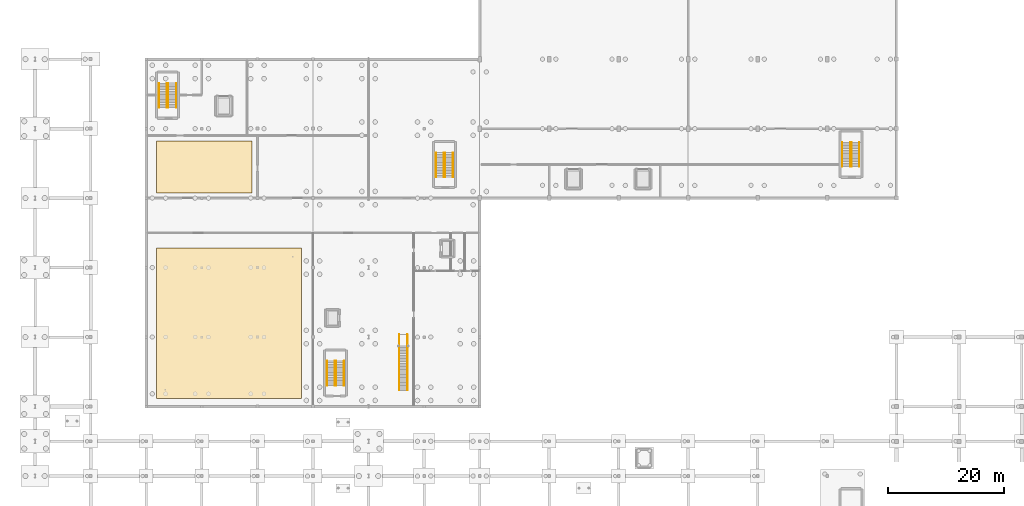
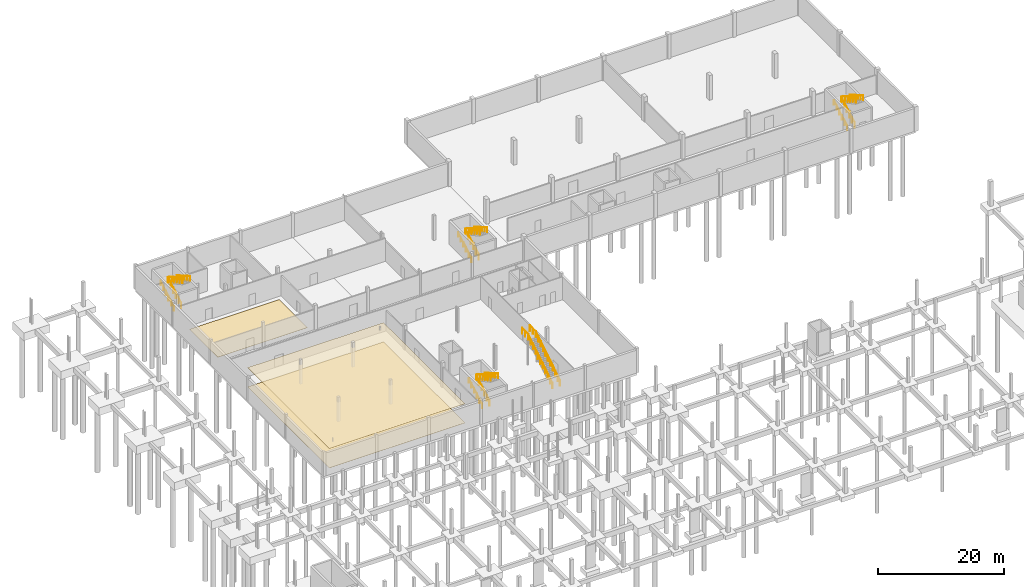
# One storey, part 30 of 31: 20 railings, 3 coverings.
"""IFC4 building model written with IfcOpenShell, lengths in metres."""

from ifc_helpers import new_model, si_unit, direction, frame, origin, origin_2d, place, context, subcontext, project, spatial, polyline, circle, outline, extrude, material, layer, layer_set, type_object, element, save


model = new_model("IFC4")

# Units and contexts
model_context = context("Model", 3, precision=1e-05, world=origin(), true_north=direction((0.0, 1.0)))
body_context = subcontext(model_context, "Body", "Model", "MODEL_VIEW")
ifc_project = project(units=[si_unit("LENGTHUNIT", "METRE"), si_unit("AREAUNIT", "SQUARE_METRE"), si_unit("VOLUMEUNIT", "CUBIC_METRE"), si_unit("PLANEANGLEUNIT", "RADIAN"), si_unit("MASSUNIT", "GRAM", prefix="KILO")], contexts=[model_context])

# Site, building, storey
site_placement = place(None, origin())
site = spatial("IfcSite", under=ifc_project, at=site_placement, CompositionType="ELEMENT")
building_placement = place(site_placement, origin())
building = spatial("IfcBuilding", under=site, at=building_placement, Name="Merenkruunu Market Hall", CompositionType="ELEMENT")
storey_placement = place(building_placement, frame((0.0, 0.0, -4.800048828125)))
storey = spatial("IfcBuildingStorey", under=building, at=storey_placement, Name="B1", CompositionType="ELEMENT", Elevation=-4.800048828125)

# Covering
ifc_material_1 = material(Name="Epoxy food-grade resin flooring")
ifc_layer_1 = layer(ifc_material_1, 0.02490234375)
ifc_layer_set_1 = layer_set([ifc_layer_1], Name="Epoxy food-grade resin flooring")
covering_type_1 = type_object("IfcCoveringType", Name="Food Grade Resin Flooring FLR02", PredefinedType="FLOORING", material=ifc_layer_set_1)
covering_1_placement = place(storey_placement, origin())
element("IfcCovering", 1, at=covering_1_placement, inside=storey, type_object=covering_type_1, Name="COV-FLR-B1-2", PredefinedType="FLOORING", context=body_context, shape_type="SweptSolid", body=[
    extrude(outline(polyline([(21.0, 88.5), (21.0, 97.5), (37.5, 97.5), (37.5, 88.5), (21.0, 88.5)])), origin(), (0.0, 0.0, 1.0), 0.025146484375),
])

# Railings
ifc_material_2 = material(Name="Brushed stainless steel", Category="steel")
railing_type_1 = type_object("IfcRailingType", Name="Gallery Balustrade Guard GR01", PredefinedType="BALUSTRADE", material=ifc_material_2)
railing_1_placement = place(storey_placement, frame((22.7900390625, 103.25, 0.0)))
element("IfcRailing", 2, at=railing_1_placement, inside=storey, type_object=railing_type_1, Name="RAIL-B1-0001", PredefinedType="BALUSTRADE", context=body_context, shape_type="SweptSolid", body=[
    extrude(circle(Radius=0.02392578125, at=origin_2d()), frame((0.0, 0.0, 1.076171875), z_axis=(0.0, 0.868227612608, 0.496166114024), x_axis=(-1.0, 0.0, 0.0)), (0.0, 0.0, 1.0), 4.83740234375),
    extrude(circle(Radius=0.02099609375, at=origin_2d()), origin(), (0.0, 0.0, 1.0), 1.052001953125),
    extrude(circle(Radius=0.02099609375, at=origin_2d()), frame((0.0, 0.840087890625, 0.47998046875)), (0.0, 0.0, 1.0), 1.052001953125),
    extrude(circle(Radius=0.02099609375, at=origin_2d()), frame((0.0, 1.679931640625, 0.9599609375)), (0.0, 0.0, 1.0), 1.052001953125),
    extrude(circle(Radius=0.02099609375, at=origin_2d()), frame((0.0, 2.52001953125, 1.440185546875)), (0.0, 0.0, 1.0), 1.052001953125),
    extrude(circle(Radius=0.02099609375, at=origin_2d()), frame((0.0, 3.35986328125, 1.920166015625)), (0.0, 0.0, 1.0), 1.052001953125),
    extrude(circle(Radius=0.02099609375, at=origin_2d()), frame((0.0, 4.199951171875, 2.400146484375)), (0.0, 0.0, 1.0), 1.052001953125),
])
railing_2_placement = place(storey_placement, frame((23.010009765625, 107.449951171875, 2.400146484375)))
element("IfcRailing", 3, at=railing_2_placement, inside=storey, type_object=railing_type_1, Name="RAIL-B1-0002", PredefinedType="BALUSTRADE", context=body_context, shape_type="SweptSolid", body=[
    extrude(circle(Radius=0.02392578125, at=origin_2d()), frame((0.0, 0.0, 1.076171875), z_axis=(0.0, -0.868249353848, 0.496128067682), x_axis=(1.0, 0.0, 0.0)), (0.0, 0.0, 1.0), 4.837158203125),
    extrude(circle(Radius=0.02099609375, at=origin_2d()), origin(), (0.0, 0.0, 1.0), 1.052001953125),
    extrude(circle(Radius=0.02099609375, at=origin_2d()), frame((0.0, -0.840087890625, 0.47998046875)), (0.0, 0.0, 1.0), 1.052001953125),
    extrude(circle(Radius=0.02099609375, at=origin_2d()), frame((0.0, -1.679931640625, 0.9599609375)), (0.0, 0.0, 1.0), 1.052001953125),
    extrude(circle(Radius=0.02099609375, at=origin_2d()), frame((0.0, -2.52001953125, 1.43994140625)), (0.0, 0.0, 1.0), 1.052001953125),
    extrude(circle(Radius=0.02099609375, at=origin_2d()), frame((0.0, -3.35986328125, 1.919921875)), (0.0, 0.0, 1.0), 1.052001953125),
    extrude(circle(Radius=0.02099609375, at=origin_2d()), frame((0.0, -4.199951171875, 2.39990234375)), (0.0, 0.0, 1.0), 1.052001953125),
])
railing_3_placement = place(storey_placement, frame((51.7900390625, 55.25, 0.0)))
element("IfcRailing", 4, at=railing_3_placement, inside=storey, type_object=railing_type_1, Name="RAIL-B1-0015", PredefinedType="BALUSTRADE", context=body_context, shape_type="SweptSolid", body=[
    extrude(circle(Radius=0.02392578125, at=origin_2d()), frame((0.0, 0.0, 1.076171875), z_axis=(0.0, 0.868227612608, 0.496166114024), x_axis=(-1.0, 0.0, 0.0)), (0.0, 0.0, 1.0), 4.83740234375),
    extrude(circle(Radius=0.02099609375, at=origin_2d()), origin(), (0.0, 0.0, 1.0), 1.052001953125),
    extrude(circle(Radius=0.02099609375, at=origin_2d()), frame((0.0, 0.840087890625, 0.47998046875)), (0.0, 0.0, 1.0), 1.052001953125),
    extrude(circle(Radius=0.02099609375, at=origin_2d()), frame((0.0, 1.679931640625, 0.9599609375)), (0.0, 0.0, 1.0), 1.052001953125),
    extrude(circle(Radius=0.02099609375, at=origin_2d()), frame((0.0, 2.52001953125, 1.440185546875)), (0.0, 0.0, 1.0), 1.052001953125),
    extrude(circle(Radius=0.02099609375, at=origin_2d()), frame((0.0, 3.35986328125, 1.920166015625)), (0.0, 0.0, 1.0), 1.052001953125),
    extrude(circle(Radius=0.02099609375, at=origin_2d()), frame((0.0, 4.199951171875, 2.400146484375)), (0.0, 0.0, 1.0), 1.052001953125),
])
railing_4_placement = place(storey_placement, frame((52.010009765625, 59.449951171875, 2.400146484375)))
element("IfcRailing", 5, at=railing_4_placement, inside=storey, type_object=railing_type_1, Name="RAIL-B1-0016", PredefinedType="BALUSTRADE", context=body_context, shape_type="SweptSolid", body=[
    extrude(circle(Radius=0.02392578125, at=origin_2d()), frame((0.0, 0.0, 1.076171875), z_axis=(0.0, -0.868249353848, 0.496128067682), x_axis=(1.0, 0.0, 0.0)), (0.0, 0.0, 1.0), 4.837158203125),
    extrude(circle(Radius=0.02099609375, at=origin_2d()), origin(), (0.0, 0.0, 1.0), 1.052001953125),
    extrude(circle(Radius=0.02099609375, at=origin_2d()), frame((0.0, -0.840087890625, 0.47998046875)), (0.0, 0.0, 1.0), 1.052001953125),
    extrude(circle(Radius=0.02099609375, at=origin_2d()), frame((0.0, -1.679931640625, 0.9599609375)), (0.0, 0.0, 1.0), 1.052001953125),
    extrude(circle(Radius=0.02099609375, at=origin_2d()), frame((0.0, -2.52001953125, 1.43994140625)), (0.0, 0.0, 1.0), 1.052001953125),
    extrude(circle(Radius=0.02099609375, at=origin_2d()), frame((0.0, -3.35986328125, 1.919921875)), (0.0, 0.0, 1.0), 1.052001953125),
    extrude(circle(Radius=0.02099609375, at=origin_2d()), frame((0.0, -4.199951171875, 2.39990234375)), (0.0, 0.0, 1.0), 1.052001953125),
])
railing_5_placement = place(storey_placement, frame((70.590087890625, 91.25, 0.0)))
element("IfcRailing", 6, at=railing_5_placement, inside=storey, type_object=railing_type_1, Name="RAIL-B1-0028", PredefinedType="BALUSTRADE", context=body_context, shape_type="SweptSolid", body=[
    extrude(circle(Radius=0.02392578125, at=origin_2d()), frame((0.0, 0.0, 1.076171875), z_axis=(0.0, 0.868227612608, 0.496166114024), x_axis=(-1.0, 0.0, 0.0)), (0.0, 0.0, 1.0), 4.83740234375),
    extrude(circle(Radius=0.02099609375, at=origin_2d()), origin(), (0.0, 0.0, 1.0), 1.052001953125),
    extrude(circle(Radius=0.02099609375, at=origin_2d()), frame((0.0, 0.840087890625, 0.47998046875)), (0.0, 0.0, 1.0), 1.052001953125),
    extrude(circle(Radius=0.02099609375, at=origin_2d()), frame((0.0, 1.679931640625, 0.9599609375)), (0.0, 0.0, 1.0), 1.052001953125),
    extrude(circle(Radius=0.02099609375, at=origin_2d()), frame((0.0, 2.52001953125, 1.440185546875)), (0.0, 0.0, 1.0), 1.052001953125),
    extrude(circle(Radius=0.02099609375, at=origin_2d()), frame((0.0, 3.35986328125, 1.920166015625)), (0.0, 0.0, 1.0), 1.052001953125),
    extrude(circle(Radius=0.02099609375, at=origin_2d()), frame((0.0, 4.199951171875, 2.400146484375)), (0.0, 0.0, 1.0), 1.052001953125),
])
railing_6_placement = place(storey_placement, frame((70.81005859375, 95.449951171875, 2.400146484375)))
element("IfcRailing", 7, at=railing_6_placement, inside=storey, type_object=railing_type_1, Name="RAIL-B1-0029", PredefinedType="BALUSTRADE", context=body_context, shape_type="SweptSolid", body=[
    extrude(circle(Radius=0.02392578125, at=origin_2d()), frame((0.0, 0.0, 1.076171875), z_axis=(0.0, -0.868249353848, 0.496128067682), x_axis=(1.0, 0.0, 0.0)), (0.0, 0.0, 1.0), 4.837158203125),
    extrude(circle(Radius=0.02099609375, at=origin_2d()), origin(), (0.0, 0.0, 1.0), 1.052001953125),
    extrude(circle(Radius=0.02099609375, at=origin_2d()), frame((0.0, -0.840087890625, 0.47998046875)), (0.0, 0.0, 1.0), 1.052001953125),
    extrude(circle(Radius=0.02099609375, at=origin_2d()), frame((0.0, -1.679931640625, 0.9599609375)), (0.0, 0.0, 1.0), 1.052001953125),
    extrude(circle(Radius=0.02099609375, at=origin_2d()), frame((0.0, -2.52001953125, 1.43994140625)), (0.0, 0.0, 1.0), 1.052001953125),
    extrude(circle(Radius=0.02099609375, at=origin_2d()), frame((0.0, -3.35986328125, 1.919921875)), (0.0, 0.0, 1.0), 1.052001953125),
    extrude(circle(Radius=0.02099609375, at=origin_2d()), frame((0.0, -4.199951171875, 2.39990234375)), (0.0, 0.0, 1.0), 1.052001953125),
])
railing_7_placement = place(storey_placement, frame((140.7900390625, 93.050048828125, 0.0)))
element("IfcRailing", 8, at=railing_7_placement, inside=storey, type_object=railing_type_1, Name="RAIL-B1-0071", PredefinedType="BALUSTRADE", context=body_context, shape_type="SweptSolid", body=[
    extrude(circle(Radius=0.02392578125, at=origin_2d()), frame((0.0, 0.0, 1.076171875), z_axis=(0.0, 0.868227612608, 0.496166114024), x_axis=(-1.0, 0.0, 0.0)), (0.0, 0.0, 1.0), 4.83740234375),
    extrude(circle(Radius=0.02099609375, at=origin_2d()), origin(), (0.0, 0.0, 1.0), 1.052001953125),
    extrude(circle(Radius=0.02099609375, at=origin_2d()), frame((0.0, 0.840087890625, 0.47998046875)), (0.0, 0.0, 1.0), 1.052001953125),
    extrude(circle(Radius=0.02099609375, at=origin_2d()), frame((0.0, 1.679931640625, 0.9599609375)), (0.0, 0.0, 1.0), 1.052001953125),
    extrude(circle(Radius=0.02099609375, at=origin_2d()), frame((0.0, 2.52001953125, 1.440185546875)), (0.0, 0.0, 1.0), 1.052001953125),
    extrude(circle(Radius=0.02099609375, at=origin_2d()), frame((0.0, 3.35986328125, 1.920166015625)), (0.0, 0.0, 1.0), 1.052001953125),
    extrude(circle(Radius=0.02099609375, at=origin_2d()), frame((0.0, 4.199951171875, 2.400146484375)), (0.0, 0.0, 1.0), 1.052001953125),
])
railing_8_placement = place(storey_placement, frame((141.010009765625, 97.25, 2.400146484375)))
element("IfcRailing", 9, at=railing_8_placement, inside=storey, type_object=railing_type_1, Name="RAIL-B1-0072", PredefinedType="BALUSTRADE", context=body_context, shape_type="SweptSolid", body=[
    extrude(circle(Radius=0.02392578125, at=origin_2d()), frame((0.0, 0.0, 1.076171875), z_axis=(0.0, -0.868249353848, 0.496128067682), x_axis=(1.0, 0.0, 0.0)), (0.0, 0.0, 1.0), 4.837158203125),
    extrude(circle(Radius=0.02099609375, at=origin_2d()), origin(), (0.0, 0.0, 1.0), 1.052001953125),
    extrude(circle(Radius=0.02099609375, at=origin_2d()), frame((0.0, -0.840087890625, 0.47998046875)), (0.0, 0.0, 1.0), 1.052001953125),
    extrude(circle(Radius=0.02099609375, at=origin_2d()), frame((0.0, -1.679931640625, 0.9599609375)), (0.0, 0.0, 1.0), 1.052001953125),
    extrude(circle(Radius=0.02099609375, at=origin_2d()), frame((0.0, -2.52001953125, 1.43994140625)), (0.0, 0.0, 1.0), 1.052001953125),
    extrude(circle(Radius=0.02099609375, at=origin_2d()), frame((0.0, -3.35986328125, 1.919921875)), (0.0, 0.0, 1.0), 1.052001953125),
    extrude(circle(Radius=0.02099609375, at=origin_2d()), frame((0.0, -4.199951171875, 2.39990234375)), (0.0, 0.0, 1.0), 1.052001953125),
])
railing_9_placement = place(storey_placement, frame((62.889892578125, 54.39990234375, 0.0)))
element("IfcRailing", 10, at=railing_9_placement, inside=storey, type_object=railing_type_1, Name="RAIL-B1-0094", PredefinedType="BALUSTRADE", context=body_context, shape_type="SweptSolid", body=[
    extrude(circle(Radius=0.02392578125, at=origin_2d()), frame((0.0, 0.0, 1.076171875), z_axis=(0.0, 0.848620490521, 0.529002139002), x_axis=(-1.0, 0.0, 0.0)), (0.0, 0.0, 1.0), 9.07373046875),
    extrude(circle(Radius=0.02392578125, at=origin_2d()), frame((0.0, 7.7001953125, 5.8759765625), z_axis=(0.0, 1.0, 0.0), x_axis=(-1.0, 0.0, 0.0)), (0.0, 0.0, 1.0), 1.929931640625),
    extrude(circle(Radius=0.02099609375, at=origin_2d()), origin(), (0.0, 0.0, 1.0), 1.052001953125),
    extrude(circle(Radius=0.02099609375, at=origin_2d()), frame((0.0, 0.77001953125, 0.47998046875)), (0.0, 0.0, 1.0), 1.052001953125),
    extrude(circle(Radius=0.02099609375, at=origin_2d()), frame((0.0, 1.5400390625, 0.9599609375)), (0.0, 0.0, 1.0), 1.052001953125),
    extrude(circle(Radius=0.02099609375, at=origin_2d()), frame((0.0, 2.31005859375, 1.43994140625)), (0.0, 0.0, 1.0), 1.052001953125),
    extrude(circle(Radius=0.02099609375, at=origin_2d()), frame((0.0, 3.080078125, 1.919921875)), (0.0, 0.0, 1.0), 1.052001953125),
    extrude(circle(Radius=0.02099609375, at=origin_2d()), frame((0.0, 3.85009765625, 2.39990234375)), (0.0, 0.0, 1.0), 1.052001953125),
    extrude(circle(Radius=0.02099609375, at=origin_2d()), frame((0.0, 4.6201171875, 2.880126953125)), (0.0, 0.0, 1.0), 1.052001953125),
    extrude(circle(Radius=0.02099609375, at=origin_2d()), frame((0.0, 5.39013671875, 3.360107421875)), (0.0, 0.0, 1.0), 1.052001953125),
    extrude(circle(Radius=0.02099609375, at=origin_2d()), frame((0.0, 6.16015625, 3.840087890625)), (0.0, 0.0, 1.0), 1.052001953125),
    extrude(circle(Radius=0.02099609375, at=origin_2d()), frame((0.0, 6.93017578125, 4.320068359375)), (0.0, 0.0, 1.0), 1.052001953125),
    extrude(circle(Radius=0.02099609375, at=origin_2d()), frame((0.0, 7.7001953125, 4.800048828125)), (0.0, 0.0, 1.0), 1.052001953125),
    extrude(circle(Radius=0.02099609375, at=origin_2d()), frame((0.0, 8.6650390625, 4.800048828125)), (0.0, 0.0, 1.0), 1.052001953125),
    extrude(circle(Radius=0.02099609375, at=origin_2d()), frame((0.0, 9.630126953125, 4.800048828125)), (0.0, 0.0, 1.0), 1.052001953125),
])
railing_10_placement = place(storey_placement, frame((64.31005859375, 54.39990234375, 0.0)))
element("IfcRailing", 11, at=railing_10_placement, inside=storey, type_object=railing_type_1, Name="RAIL-B1-0096", PredefinedType="BALUSTRADE", context=body_context, shape_type="SweptSolid", body=[
    extrude(circle(Radius=0.02392578125, at=origin_2d()), frame((0.0, 0.0, 1.076171875), z_axis=(0.0, 0.848620490521, 0.529002139002), x_axis=(-1.0, 0.0, 0.0)), (0.0, 0.0, 1.0), 9.07373046875),
    extrude(circle(Radius=0.02392578125, at=origin_2d()), frame((0.0, 7.7001953125, 5.8759765625), z_axis=(0.0, 1.0, 0.0), x_axis=(-1.0, 0.0, 0.0)), (0.0, 0.0, 1.0), 1.929931640625),
    extrude(circle(Radius=0.02099609375, at=origin_2d()), origin(), (0.0, 0.0, 1.0), 1.052001953125),
    extrude(circle(Radius=0.02099609375, at=origin_2d()), frame((0.0, 0.77001953125, 0.47998046875)), (0.0, 0.0, 1.0), 1.052001953125),
    extrude(circle(Radius=0.02099609375, at=origin_2d()), frame((0.0, 1.5400390625, 0.9599609375)), (0.0, 0.0, 1.0), 1.052001953125),
    extrude(circle(Radius=0.02099609375, at=origin_2d()), frame((0.0, 2.31005859375, 1.43994140625)), (0.0, 0.0, 1.0), 1.052001953125),
    extrude(circle(Radius=0.02099609375, at=origin_2d()), frame((0.0, 3.080078125, 1.919921875)), (0.0, 0.0, 1.0), 1.052001953125),
    extrude(circle(Radius=0.02099609375, at=origin_2d()), frame((0.0, 3.85009765625, 2.39990234375)), (0.0, 0.0, 1.0), 1.052001953125),
    extrude(circle(Radius=0.02099609375, at=origin_2d()), frame((0.0, 4.6201171875, 2.880126953125)), (0.0, 0.0, 1.0), 1.052001953125),
    extrude(circle(Radius=0.02099609375, at=origin_2d()), frame((0.0, 5.39013671875, 3.360107421875)), (0.0, 0.0, 1.0), 1.052001953125),
    extrude(circle(Radius=0.02099609375, at=origin_2d()), frame((0.0, 6.16015625, 3.840087890625)), (0.0, 0.0, 1.0), 1.052001953125),
    extrude(circle(Radius=0.02099609375, at=origin_2d()), frame((0.0, 6.93017578125, 4.320068359375)), (0.0, 0.0, 1.0), 1.052001953125),
    extrude(circle(Radius=0.02099609375, at=origin_2d()), frame((0.0, 7.7001953125, 4.800048828125)), (0.0, 0.0, 1.0), 1.052001953125),
    extrude(circle(Radius=0.02099609375, at=origin_2d()), frame((0.0, 8.6650390625, 4.800048828125)), (0.0, 0.0, 1.0), 1.052001953125),
    extrude(circle(Radius=0.02099609375, at=origin_2d()), frame((0.0, 9.630126953125, 4.800048828125)), (0.0, 0.0, 1.0), 1.052001953125),
])

# Covering
ifc_material_3 = material(Name="Acoustic mineral wool panel")
ifc_layer_2 = layer(ifc_material_3, 0.034912109375)
ifc_layer_set_2 = layer_set([ifc_layer_2], Name="Acoustic mineral wool panel")
covering_type_2 = type_object("IfcCoveringType", Name="Hygienic Mineral Ceiling CLG02", PredefinedType="CEILING", material=ifc_layer_set_2)
covering_2_placement = place(storey_placement, frame((0.0, 0.0, 3.75)))
element("IfcCovering", 12, at=covering_2_placement, inside=storey, type_object=covering_type_2, Name="COV-CLG-B1-1", PredefinedType="CEILING", context=body_context, shape_type="SweptSolid", body=[
    extrude(outline(polyline([(21.0, 53.0), (21.0, 79.0), (46.0, 79.0), (46.0, 53.0), (21.0, 53.0)])), origin(), (0.0, 0.0, 1.0), 0.03515625),
])

# Railings
railing_type_2 = type_object("IfcRailingType", Name="Stair Pitch Handrail HR01", PredefinedType="HANDRAIL", material=ifc_material_2)
railing_11_placement = place(storey_placement, frame((21.429931640625, 103.25, 0.0)))
element("IfcRailing", 13, at=railing_11_placement, inside=storey, type_object=railing_type_2, Name="RAIL-B1-0003", PredefinedType="HANDRAIL", context=body_context, shape_type="SweptSolid", body=[
    extrude(circle(Radius=0.02392578125, at=origin_2d()), frame((0.0, 0.0, 0.8759765625), z_axis=(0.0, 0.868227612608, 0.496166114024), x_axis=(-1.0, 0.0, 0.0)), (0.0, 0.0, 1.0), 4.83740234375),
    extrude(circle(Radius=0.02099609375, at=origin_2d()), origin(), (0.0, 0.0, 1.0), 0.851806640625),
    extrude(circle(Radius=0.02099609375, at=origin_2d()), frame((0.0, 0.840087890625, 0.47998046875)), (0.0, 0.0, 1.0), 0.851806640625),
    extrude(circle(Radius=0.02099609375, at=origin_2d()), frame((0.0, 1.679931640625, 0.9599609375)), (0.0, 0.0, 1.0), 0.851806640625),
    extrude(circle(Radius=0.02099609375, at=origin_2d()), frame((0.0, 2.52001953125, 1.440185546875)), (0.0, 0.0, 1.0), 0.851806640625),
    extrude(circle(Radius=0.02099609375, at=origin_2d()), frame((0.0, 3.35986328125, 1.920166015625)), (0.0, 0.0, 1.0), 0.851806640625),
    extrude(circle(Radius=0.02099609375, at=origin_2d()), frame((0.0, 4.199951171875, 2.400146484375)), (0.0, 0.0, 1.0), 0.851806640625),
])
railing_12_placement = place(storey_placement, frame((24.3701171875, 107.449951171875, 2.400146484375)))
element("IfcRailing", 14, at=railing_12_placement, inside=storey, type_object=railing_type_2, Name="RAIL-B1-0004", PredefinedType="HANDRAIL", context=body_context, shape_type="SweptSolid", body=[
    extrude(circle(Radius=0.02392578125, at=origin_2d()), frame((0.0, 0.0, 0.8759765625), z_axis=(0.0, -0.868249353848, 0.496128067682), x_axis=(1.0, 0.0, 0.0)), (0.0, 0.0, 1.0), 4.837158203125),
    extrude(circle(Radius=0.02099609375, at=origin_2d()), origin(), (0.0, 0.0, 1.0), 0.851806640625),
    extrude(circle(Radius=0.02099609375, at=origin_2d()), frame((0.0, -0.840087890625, 0.47998046875)), (0.0, 0.0, 1.0), 0.851806640625),
    extrude(circle(Radius=0.02099609375, at=origin_2d()), frame((0.0, -1.679931640625, 0.9599609375)), (0.0, 0.0, 1.0), 0.851806640625),
    extrude(circle(Radius=0.02099609375, at=origin_2d()), frame((0.0, -2.52001953125, 1.43994140625)), (0.0, 0.0, 1.0), 0.851806640625),
    extrude(circle(Radius=0.02099609375, at=origin_2d()), frame((0.0, -3.35986328125, 1.919921875)), (0.0, 0.0, 1.0), 0.851806640625),
    extrude(circle(Radius=0.02099609375, at=origin_2d()), frame((0.0, -4.199951171875, 2.39990234375)), (0.0, 0.0, 1.0), 0.851806640625),
])
railing_13_placement = place(storey_placement, frame((50.429931640625, 55.25, 0.0)))
element("IfcRailing", 15, at=railing_13_placement, inside=storey, type_object=railing_type_2, Name="RAIL-B1-0017", PredefinedType="HANDRAIL", context=body_context, shape_type="SweptSolid", body=[
    extrude(circle(Radius=0.02392578125, at=origin_2d()), frame((0.0, 0.0, 0.8759765625), z_axis=(0.0, 0.868227612608, 0.496166114024), x_axis=(-1.0, 0.0, 0.0)), (0.0, 0.0, 1.0), 4.83740234375),
    extrude(circle(Radius=0.02099609375, at=origin_2d()), origin(), (0.0, 0.0, 1.0), 0.851806640625),
    extrude(circle(Radius=0.02099609375, at=origin_2d()), frame((0.0, 0.840087890625, 0.47998046875)), (0.0, 0.0, 1.0), 0.851806640625),
    extrude(circle(Radius=0.02099609375, at=origin_2d()), frame((0.0, 1.679931640625, 0.9599609375)), (0.0, 0.0, 1.0), 0.851806640625),
    extrude(circle(Radius=0.02099609375, at=origin_2d()), frame((0.0, 2.52001953125, 1.440185546875)), (0.0, 0.0, 1.0), 0.851806640625),
    extrude(circle(Radius=0.02099609375, at=origin_2d()), frame((0.0, 3.35986328125, 1.920166015625)), (0.0, 0.0, 1.0), 0.851806640625),
    extrude(circle(Radius=0.02099609375, at=origin_2d()), frame((0.0, 4.199951171875, 2.400146484375)), (0.0, 0.0, 1.0), 0.851806640625),
])
railing_14_placement = place(storey_placement, frame((53.3701171875, 59.449951171875, 2.400146484375)))
element("IfcRailing", 16, at=railing_14_placement, inside=storey, type_object=railing_type_2, Name="RAIL-B1-0018", PredefinedType="HANDRAIL", context=body_context, shape_type="SweptSolid", body=[
    extrude(circle(Radius=0.02392578125, at=origin_2d()), frame((0.0, 0.0, 0.8759765625), z_axis=(0.0, -0.868249353848, 0.496128067682), x_axis=(1.0, 0.0, 0.0)), (0.0, 0.0, 1.0), 4.837158203125),
    extrude(circle(Radius=0.02099609375, at=origin_2d()), origin(), (0.0, 0.0, 1.0), 0.851806640625),
    extrude(circle(Radius=0.02099609375, at=origin_2d()), frame((0.0, -0.840087890625, 0.47998046875)), (0.0, 0.0, 1.0), 0.851806640625),
    extrude(circle(Radius=0.02099609375, at=origin_2d()), frame((0.0, -1.679931640625, 0.9599609375)), (0.0, 0.0, 1.0), 0.851806640625),
    extrude(circle(Radius=0.02099609375, at=origin_2d()), frame((0.0, -2.52001953125, 1.43994140625)), (0.0, 0.0, 1.0), 0.851806640625),
    extrude(circle(Radius=0.02099609375, at=origin_2d()), frame((0.0, -3.35986328125, 1.919921875)), (0.0, 0.0, 1.0), 0.851806640625),
    extrude(circle(Radius=0.02099609375, at=origin_2d()), frame((0.0, -4.199951171875, 2.39990234375)), (0.0, 0.0, 1.0), 0.851806640625),
])
railing_15_placement = place(storey_placement, frame((69.22998046875, 91.25, 0.0)))
element("IfcRailing", 17, at=railing_15_placement, inside=storey, type_object=railing_type_2, Name="RAIL-B1-0030", PredefinedType="HANDRAIL", context=body_context, shape_type="SweptSolid", body=[
    extrude(circle(Radius=0.02392578125, at=origin_2d()), frame((0.0, 0.0, 0.8759765625), z_axis=(0.0, 0.868227612608, 0.496166114024), x_axis=(-1.0, 0.0, 0.0)), (0.0, 0.0, 1.0), 4.83740234375),
    extrude(circle(Radius=0.02099609375, at=origin_2d()), origin(), (0.0, 0.0, 1.0), 0.851806640625),
    extrude(circle(Radius=0.02099609375, at=origin_2d()), frame((0.0, 0.840087890625, 0.47998046875)), (0.0, 0.0, 1.0), 0.851806640625),
    extrude(circle(Radius=0.02099609375, at=origin_2d()), frame((0.0, 1.679931640625, 0.9599609375)), (0.0, 0.0, 1.0), 0.851806640625),
    extrude(circle(Radius=0.02099609375, at=origin_2d()), frame((0.0, 2.52001953125, 1.440185546875)), (0.0, 0.0, 1.0), 0.851806640625),
    extrude(circle(Radius=0.02099609375, at=origin_2d()), frame((0.0, 3.35986328125, 1.920166015625)), (0.0, 0.0, 1.0), 0.851806640625),
    extrude(circle(Radius=0.02099609375, at=origin_2d()), frame((0.0, 4.199951171875, 2.400146484375)), (0.0, 0.0, 1.0), 0.851806640625),
])
railing_16_placement = place(storey_placement, frame((72.169921875, 95.449951171875, 2.400146484375)))
element("IfcRailing", 18, at=railing_16_placement, inside=storey, type_object=railing_type_2, Name="RAIL-B1-0031", PredefinedType="HANDRAIL", context=body_context, shape_type="SweptSolid", body=[
    extrude(circle(Radius=0.02392578125, at=origin_2d()), frame((0.0, 0.0, 0.8759765625), z_axis=(0.0, -0.868249353848, 0.496128067682), x_axis=(1.0, 0.0, 0.0)), (0.0, 0.0, 1.0), 4.837158203125),
    extrude(circle(Radius=0.02099609375, at=origin_2d()), origin(), (0.0, 0.0, 1.0), 0.851806640625),
    extrude(circle(Radius=0.02099609375, at=origin_2d()), frame((0.0, -0.840087890625, 0.47998046875)), (0.0, 0.0, 1.0), 0.851806640625),
    extrude(circle(Radius=0.02099609375, at=origin_2d()), frame((0.0, -1.679931640625, 0.9599609375)), (0.0, 0.0, 1.0), 0.851806640625),
    extrude(circle(Radius=0.02099609375, at=origin_2d()), frame((0.0, -2.52001953125, 1.43994140625)), (0.0, 0.0, 1.0), 0.851806640625),
    extrude(circle(Radius=0.02099609375, at=origin_2d()), frame((0.0, -3.35986328125, 1.919921875)), (0.0, 0.0, 1.0), 0.851806640625),
    extrude(circle(Radius=0.02099609375, at=origin_2d()), frame((0.0, -4.199951171875, 2.39990234375)), (0.0, 0.0, 1.0), 0.851806640625),
])
railing_17_placement = place(storey_placement, frame((139.429931640625, 93.050048828125, 0.0)))
element("IfcRailing", 19, at=railing_17_placement, inside=storey, type_object=railing_type_2, Name="RAIL-B1-0073", PredefinedType="HANDRAIL", context=body_context, shape_type="SweptSolid", body=[
    extrude(circle(Radius=0.02392578125, at=origin_2d()), frame((0.0, 0.0, 0.8759765625), z_axis=(0.0, 0.868227612608, 0.496166114024), x_axis=(-1.0, 0.0, 0.0)), (0.0, 0.0, 1.0), 4.83740234375),
    extrude(circle(Radius=0.02099609375, at=origin_2d()), origin(), (0.0, 0.0, 1.0), 0.851806640625),
    extrude(circle(Radius=0.02099609375, at=origin_2d()), frame((0.0, 0.840087890625, 0.47998046875)), (0.0, 0.0, 1.0), 0.851806640625),
    extrude(circle(Radius=0.02099609375, at=origin_2d()), frame((0.0, 1.679931640625, 0.9599609375)), (0.0, 0.0, 1.0), 0.851806640625),
    extrude(circle(Radius=0.02099609375, at=origin_2d()), frame((0.0, 2.52001953125, 1.440185546875)), (0.0, 0.0, 1.0), 0.851806640625),
    extrude(circle(Radius=0.02099609375, at=origin_2d()), frame((0.0, 3.35986328125, 1.920166015625)), (0.0, 0.0, 1.0), 0.851806640625),
    extrude(circle(Radius=0.02099609375, at=origin_2d()), frame((0.0, 4.199951171875, 2.400146484375)), (0.0, 0.0, 1.0), 0.851806640625),
])
railing_18_placement = place(storey_placement, frame((142.3701171875, 97.25, 2.400146484375)))
element("IfcRailing", 20, at=railing_18_placement, inside=storey, type_object=railing_type_2, Name="RAIL-B1-0074", PredefinedType="HANDRAIL", context=body_context, shape_type="SweptSolid", body=[
    extrude(circle(Radius=0.02392578125, at=origin_2d()), frame((0.0, 0.0, 0.8759765625), z_axis=(0.0, -0.868249353848, 0.496128067682), x_axis=(1.0, 0.0, 0.0)), (0.0, 0.0, 1.0), 4.837158203125),
    extrude(circle(Radius=0.02099609375, at=origin_2d()), origin(), (0.0, 0.0, 1.0), 0.851806640625),
    extrude(circle(Radius=0.02099609375, at=origin_2d()), frame((0.0, -0.840087890625, 0.47998046875)), (0.0, 0.0, 1.0), 0.851806640625),
    extrude(circle(Radius=0.02099609375, at=origin_2d()), frame((0.0, -1.679931640625, 0.9599609375)), (0.0, 0.0, 1.0), 0.851806640625),
    extrude(circle(Radius=0.02099609375, at=origin_2d()), frame((0.0, -2.52001953125, 1.43994140625)), (0.0, 0.0, 1.0), 0.851806640625),
    extrude(circle(Radius=0.02099609375, at=origin_2d()), frame((0.0, -3.35986328125, 1.919921875)), (0.0, 0.0, 1.0), 0.851806640625),
    extrude(circle(Radius=0.02099609375, at=origin_2d()), frame((0.0, -4.199951171875, 2.39990234375)), (0.0, 0.0, 1.0), 0.851806640625),
])
for number, where, name in (
    (21, (62.919921875, 54.39990234375, 0.0), "RAIL-B1-0095"),
    (22, (64.280029296875, 54.39990234375, 0.0), "RAIL-B1-0097"),
):
    element("IfcRailing", number, at=place(storey_placement, frame(where)), inside=storey, type_object=railing_type_2, Name=name, PredefinedType="HANDRAIL", context=body_context, shape_type="SweptSolid", body=[
        extrude(circle(Radius=0.02392578125, at=origin_2d()), frame((0.0, 0.0, 0.8759765625), z_axis=(0.0, 0.848620490521, 0.529002139002), x_axis=(-1.0, 0.0, 0.0)), (0.0, 0.0, 1.0), 9.07373046875),
        extrude(circle(Radius=0.02099609375, at=origin_2d()), origin(), (0.0, 0.0, 1.0), 0.851806640625),
        extrude(circle(Radius=0.02099609375, at=origin_2d()), frame((0.0, 0.77001953125, 0.47998046875)), (0.0, 0.0, 1.0), 0.851806640625),
        extrude(circle(Radius=0.02099609375, at=origin_2d()), frame((0.0, 1.5400390625, 0.9599609375)), (0.0, 0.0, 1.0), 0.851806640625),
        extrude(circle(Radius=0.02099609375, at=origin_2d()), frame((0.0, 2.31005859375, 1.43994140625)), (0.0, 0.0, 1.0), 0.851806640625),
        extrude(circle(Radius=0.02099609375, at=origin_2d()), frame((0.0, 3.080078125, 1.919921875)), (0.0, 0.0, 1.0), 0.851806640625),
        extrude(circle(Radius=0.02099609375, at=origin_2d()), frame((0.0, 3.85009765625, 2.39990234375)), (0.0, 0.0, 1.0), 0.851806640625),
        extrude(circle(Radius=0.02099609375, at=origin_2d()), frame((0.0, 4.6201171875, 2.880126953125)), (0.0, 0.0, 1.0), 0.851806640625),
        extrude(circle(Radius=0.02099609375, at=origin_2d()), frame((0.0, 5.39013671875, 3.360107421875)), (0.0, 0.0, 1.0), 0.851806640625),
        extrude(circle(Radius=0.02099609375, at=origin_2d()), frame((0.0, 6.16015625, 3.840087890625)), (0.0, 0.0, 1.0), 0.851806640625),
        extrude(circle(Radius=0.02099609375, at=origin_2d()), frame((0.0, 6.93017578125, 4.320068359375)), (0.0, 0.0, 1.0), 0.851806640625),
        extrude(circle(Radius=0.02099609375, at=origin_2d()), frame((0.0, 7.7001953125, 4.800048828125)), (0.0, 0.0, 1.0), 0.851806640625),
    ])

# Covering
ifc_material_4 = material(Name="Terrazzo stone flooring", Category="masonry")
ifc_layer_3 = layer(ifc_material_4, 0.030029296875)
ifc_layer_set_3 = layer_set([ifc_layer_3], Name="Terrazzo stone flooring")
covering_type_3 = type_object("IfcCoveringType", Name="Terrazzo Market Flooring FLR01", PredefinedType="FLOORING", material=ifc_layer_set_3)
covering_3_placement = place(storey_placement, origin())
element("IfcCovering", 23, at=covering_3_placement, inside=storey, type_object=covering_type_3, Name="COV-FLR-B1-1", PredefinedType="FLOORING", context=body_context, shape_type="SweptSolid", body=[
    extrude(outline(polyline([(21.0, 53.0), (21.0, 79.0), (46.0, 79.0), (46.0, 53.0), (21.0, 53.0)])), origin(), (0.0, 0.0, 1.0), 0.030029296875),
])

save(model, "model.ifc")
